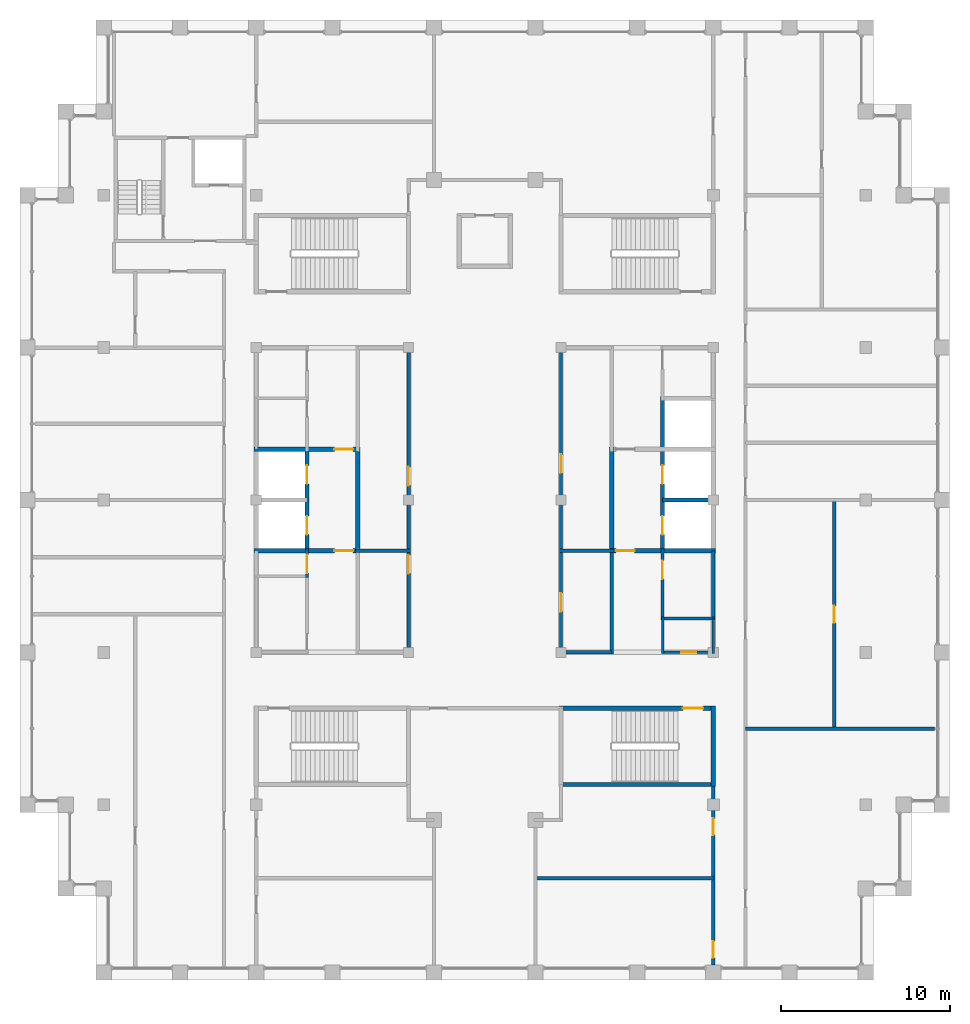
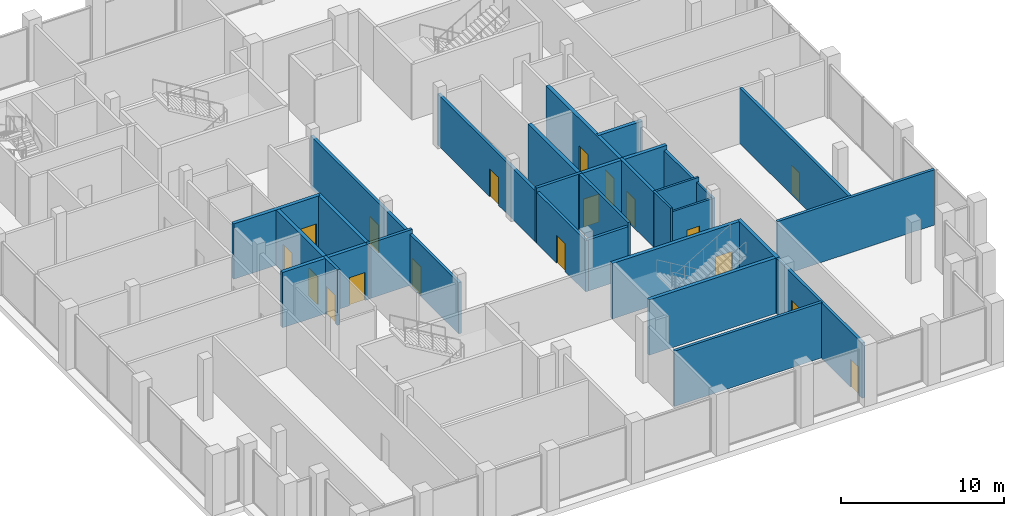
# One storey, part 8 of 12: 28 walls, 18 doors, 18 openings.
"""IFC4 building model written with IfcOpenShell, lengths in metres."""

from ifc_helpers import new_model, si_unit, direction, frame, frame_2d, origin, place, context, subcontext, project, spatial, rectangle, extrude, material, layer, layer_set, type_object, element, fill, save


model = new_model("IFC4")

# Units and contexts
model_context = context("Model", 3, precision=1e-05, world=origin(), true_north=direction((0.0, 1.0)))
body_context = subcontext(model_context, "Body", "Model", "MODEL_VIEW")
ifc_project = project(units=[si_unit("LENGTHUNIT", "METRE"), si_unit("AREAUNIT", "SQUARE_METRE"), si_unit("VOLUMEUNIT", "CUBIC_METRE"), si_unit("PLANEANGLEUNIT", "RADIAN"), si_unit("MASSUNIT", "GRAM", prefix="KILO")], contexts=[model_context])

# Site, building, storey
site_placement = place(None, origin())
site = spatial("IfcSite", under=ifc_project, at=site_placement, CompositionType="ELEMENT")
building_placement = place(site_placement, origin())
building = spatial("IfcBuilding", under=site, at=building_placement, Name="Corbelhall Arena Tower", CompositionType="ELEMENT")
storey_placement = place(building_placement, frame((0.0, 0.0, 356.0)))
storey = spatial("IfcBuildingStorey", under=building, at=storey_placement, Name="L78", CompositionType="ELEMENT", Elevation=356.0)

# Wall
ifc_material_1 = material(Name="Gypsum board on steel stud, acoustic", Category="steel")
ifc_layer_1 = layer(ifc_material_1, 0.199951171875)
ifc_layer_set_1 = layer_set([ifc_layer_1], Name="IN-W-DM200")
wall_type_1 = type_object("IfcWallType", Name="IN-W-DM200", PredefinedType="PARTITIONING", material=ifc_layer_set_1)
wall_1_placement = place(storey_placement, frame((3.0, -22.35009765625, 0.0), z_axis=(0.0, 0.0, 1.0), x_axis=(1.0, 0.0, 0.0)))
element("IfcWall", 1, at=wall_1_placement, inside=storey, type_object=wall_type_1, Name="Partition 024", PredefinedType="PARTITIONING", context=body_context, shape_type="SweptSolid", body=[
    extrude(rectangle(XDim=10.5, YDim=0.199951171875, at=frame_2d((5.25, 0.0))), origin(), (0.0, 0.0, 1.0), 4.149658203125),
])

# Wall, openings, doors
wall_2_placement = place(storey_placement, frame((13.5, -27.449951171875, 0.0), z_axis=(0.0, 0.0, 1.0), x_axis=(0.0, 1.0, 0.0)))
wall_2 = element("IfcWall", 2, at=wall_2_placement, inside=storey, type_object=wall_type_1, Name="Partition 030", PredefinedType="PARTITIONING", context=body_context, shape_type="SweptSolid", body=[
    extrude(rectangle(XDim=10.77490234375, YDim=0.199951171875, at=frame_2d((5.387451171875, 0.0))), origin(), (0.0, 0.0, 1.0), 4.149658203125),
])
opening_1_placement = place(wall_2_placement, frame((0.39990234375, 0.0, 0.0)))
opening_1 = element("IfcOpeningElement", 3, at=opening_1_placement, cuts=wall_2, Name="Opening 32026", PredefinedType="OPENING", context=body_context, shape_type="SweptSolid", body=[
    extrude(rectangle(XDim=1.0, YDim=2.10009765625, at=frame_2d((0.5, 1.050048828125))), frame((0.0, 0.10009765625, 0.0), z_axis=(0.0, -1.0, 0.0), x_axis=(1.0, 0.0, 0.0)), (0.0, 0.0, 1.0), 0.199951171875),
])
opening_2_placement = place(wall_2_placement, frame((7.64990234375, 0.0, 0.0)))
opening_2 = element("IfcOpeningElement", 4, at=opening_2_placement, cuts=wall_2, Name="Opening 32027", PredefinedType="OPENING", context=body_context, shape_type="SweptSolid", body=[
    extrude(rectangle(XDim=1.0, YDim=2.10009765625, at=frame_2d((0.5, 1.050048828125))), frame((0.0, 0.10009765625, 0.0), z_axis=(0.0, -1.0, 0.0), x_axis=(1.0, 0.0, 0.0)), (0.0, 0.0, 1.0), 0.199951171875),
])
ifc_material_2 = material(Name="Steel door set", Category="steel")
door_type_1 = type_object("IfcDoorType", Name="IN-D-SW100", OperationType="NOTDEFINED", PredefinedType="DOOR", material=ifc_material_2)
door_1_placement = place(opening_1_placement, origin())
door_1 = element("IfcDoor", 5, at=door_1_placement, inside=storey, type_object=door_type_1, Name="Door 026", OperationType="SINGLE_SWING_LEFT", OverallHeight=2.10009765625, OverallWidth=1.0, PredefinedType="DOOR", context=body_context, shape_type="SweptSolid", body=[
    extrude(rectangle(XDim=1.0, YDim=2.10009765625, at=frame_2d((0.5, 1.050048828125))), frame((0.0, 0.02490234375, 0.0), z_axis=(0.0, -1.0, 0.0), x_axis=(1.0, 0.0, 0.0)), (0.0, 0.0, 1.0), 0.050048828125),
])
fill(opening_1, door_1)
door_2_placement = place(opening_2_placement, origin())
door_2 = element("IfcDoor", 6, at=door_2_placement, inside=storey, type_object=door_type_1, Name="Door 027", OperationType="SINGLE_SWING_RIGHT", OverallHeight=2.10009765625, OverallWidth=1.0, PredefinedType="DOOR", context=body_context, shape_type="SweptSolid", body=[
    extrude(rectangle(XDim=1.0, YDim=2.10009765625, at=frame_2d((0.5, 1.050048828125))), frame((0.0, 0.02490234375, 0.0), z_axis=(0.0, -1.0, 0.0), x_axis=(1.0, 0.0, 0.0)), (0.0, 0.0, 1.0), 0.050048828125),
])
fill(opening_2, door_2)

# Wall
wall_3_placement = place(storey_placement, frame((15.39990234375, -13.5, 0.0), z_axis=(0.0, 0.0, 1.0), x_axis=(1.0, 0.0, 0.0)))
element("IfcWall", 7, at=wall_3_placement, inside=storey, type_object=wall_type_1, Name="Partition 033", PredefinedType="PARTITIONING", context=body_context, shape_type="SweptSolid", body=[
    extrude(rectangle(XDim=11.150146484375, YDim=0.199951171875, at=frame_2d((5.5751953125, 0.0))), origin(), (0.0, 0.0, 1.0), 4.149658203125),
])

# Wall, opening, door
wall_4_placement = place(storey_placement, frame((20.64990234375, 0.0, 0.0), z_axis=(0.0, 0.0, 1.0), x_axis=(0.0, -1.0, 0.0)))
wall_4 = element("IfcWall", 8, at=wall_4_placement, inside=storey, type_object=wall_type_1, Name="Partition 039", PredefinedType="PARTITIONING", context=body_context, shape_type="SweptSolid", body=[
    extrude(rectangle(XDim=13.5, YDim=0.199951171875, at=frame_2d((6.75, 0.0))), origin(), (0.0, 0.0, 1.0), 4.149658203125),
])
opening_3_placement = place(wall_4_placement, frame((6.25, 0.0, 0.0)))
opening_3 = element("IfcOpeningElement", 9, at=opening_3_placement, cuts=wall_4, Name="Opening 32044", PredefinedType="OPENING", context=body_context, shape_type="SweptSolid", body=[
    extrude(rectangle(XDim=1.0, YDim=2.10009765625, at=frame_2d((0.5, 1.050048828125))), frame((0.0, 0.10009765625, 0.0), z_axis=(0.0, -1.0, 0.0), x_axis=(1.0, 0.0, 0.0)), (0.0, 0.0, 1.0), 0.199951171875),
])
door_3_placement = place(opening_3_placement, origin())
door_3 = element("IfcDoor", 10, at=door_3_placement, inside=storey, type_object=door_type_1, Name="Door 044", OperationType="SINGLE_SWING_LEFT", OverallHeight=2.10009765625, OverallWidth=1.0, PredefinedType="DOOR", context=body_context, shape_type="SweptSolid", body=[
    extrude(rectangle(XDim=1.0, YDim=2.10009765625, at=frame_2d((0.5, 1.050048828125))), frame((0.0, 0.02490234375, 0.0), z_axis=(0.0, -1.0, 0.0), x_axis=(1.0, 0.0, 0.0)), (0.0, 0.0, 1.0), 0.050048828125),
])
fill(opening_3, door_3)

ifc_material_3 = material(Name="Concrete block wall", Category="concrete")
ifc_layer_2 = layer(ifc_material_3, 0.199951171875)
ifc_layer_set_2 = layer_set([ifc_layer_2], Name="IN-W-RS200")
wall_type_2 = type_object("IfcWallType", Name="IN-W-RS200", PredefinedType="SOLIDWALL", material=ifc_layer_set_2)
wall_5_placement = place(storey_placement, frame((-10.5, -4.574951171875, 0.0), z_axis=(0.0, 0.0, 1.0), x_axis=(0.0, 1.0, 0.0)))
wall_5 = element("IfcWall", 11, at=wall_5_placement, inside=storey, type_object=wall_type_2, Name="Partition 044", PredefinedType="SOLIDWALL", context=body_context, shape_type="SweptSolid", body=[
    extrude(rectangle(XDim=1.699951171875, YDim=0.199951171875, at=frame_2d((0.85009765625, 0.0))), origin(), (0.0, 0.0, 1.0), 4.149658203125),
])
opening_4_placement = place(wall_5_placement, frame((0.25, 0.0, 0.0)))
opening_4 = element("IfcOpeningElement", 12, at=opening_4_placement, cuts=wall_5, Name="Opening 32006", PredefinedType="OPENING", context=body_context, shape_type="SweptSolid", body=[
    extrude(rectangle(XDim=1.10009765625, YDim=2.10009765625, at=frame_2d((0.550048828125, 1.050048828125))), frame((0.0, 0.10009765625, 0.0), z_axis=(0.0, -1.0, 0.0), x_axis=(1.0, 0.0, 0.0)), (0.0, 0.0, 1.0), 0.199951171875),
])
door_type_2 = type_object("IfcDoorType", Name="IN-D-FD110", OperationType="NOTDEFINED", PredefinedType="DOOR", material=ifc_material_2)
door_4_placement = place(opening_4_placement, origin())
door_4 = element("IfcDoor", 13, at=door_4_placement, inside=storey, type_object=door_type_2, Name="Door 006", OperationType="SINGLE_SWING_LEFT", OverallHeight=2.10009765625, OverallWidth=1.10009765625, PredefinedType="DOOR", context=body_context, shape_type="SweptSolid", body=[
    extrude(rectangle(XDim=1.10009765625, YDim=2.10009765625, at=frame_2d((0.550048828125, 1.050048828125))), frame((0.0, 0.02490234375, 0.0), z_axis=(0.0, -1.0, 0.0), x_axis=(1.0, 0.0, 0.0)), (0.0, 0.0, 1.0), 0.050048828125),
])
fill(opening_4, door_4)

# Walls
for number, where, z_axis, x_axis, name in (
    (14, (-7.625, -3.0, 0.0), (0.0, 0.0, 1.0), (1.0, 0.0, 0.0), "Partition 046"),
    (15, (4.39990234375, -3.0, 0.0), (0.0, 0.0, 1.0), (1.0, 0.0, 0.0), "Partition 052"),
):
    element("IfcWall", number, at=place(storey_placement, frame(where, z_axis=z_axis, x_axis=x_axis)), inside=storey, type_object=wall_type_2, Name=name, PredefinedType="SOLIDWALL", context=body_context, shape_type="SweptSolid", body=[
        extrude(rectangle(XDim=3.22509765625, YDim=0.199951171875, at=frame_2d((1.612548828125, 0.0))), origin(), (0.0, 0.0, 1.0), 4.149658203125),
    ])
wall_6_placement = place(storey_placement, frame((7.5, -2.875, 0.0), z_axis=(0.0, 0.0, 1.0), x_axis=(0.0, -1.0, 0.0)))
element("IfcWall", 16, at=wall_6_placement, inside=storey, type_object=wall_type_2, Name="Partition 056", PredefinedType="SOLIDWALL", context=body_context, shape_type="SweptSolid", body=[
    extrude(rectangle(XDim=6.22509765625, YDim=0.199951171875, at=frame_2d((3.112548828125, 0.0))), origin(), (0.0, 0.0, 1.0), 4.149658203125),
])

# Wall, opening, door
wall_7_placement = place(storey_placement, frame((10.5, -2.875, 0.0), z_axis=(0.0, 0.0, 1.0), x_axis=(0.0, -1.0, 0.0)))
wall_7 = element("IfcWall", 17, at=wall_7_placement, inside=storey, type_object=wall_type_2, Name="Partition 058", PredefinedType="SOLIDWALL", context=body_context, shape_type="SweptSolid", body=[
    extrude(rectangle(XDim=4.199951171875, YDim=0.199951171875, at=frame_2d((2.10009765625, 0.0))), origin(), (0.0, 0.0, 1.0), 4.149658203125),
])
opening_5_placement = place(wall_7_placement, frame((0.699951171875, 0.0, 0.0)))
opening_5 = element("IfcOpeningElement", 18, at=opening_5_placement, cuts=wall_7, Name="Opening 32014", PredefinedType="OPENING", context=body_context, shape_type="SweptSolid", body=[
    extrude(rectangle(XDim=1.10009765625, YDim=2.10009765625, at=frame_2d((0.550048828125, 1.050048828125))), frame((0.0, 0.10009765625, 0.0), z_axis=(0.0, -1.0, 0.0), x_axis=(1.0, 0.0, 0.0)), (0.0, 0.0, 1.0), 0.199951171875),
])
door_5_placement = place(opening_5_placement, origin())
door_5 = element("IfcDoor", 19, at=door_5_placement, inside=storey, type_object=door_type_2, Name="Door 014", OperationType="SINGLE_SWING_LEFT", OverallHeight=2.10009765625, OverallWidth=1.10009765625, PredefinedType="DOOR", context=body_context, shape_type="SweptSolid", body=[
    extrude(rectangle(XDim=1.10009765625, YDim=2.10009765625, at=frame_2d((0.550048828125, 1.050048828125))), frame((0.0, 0.02490234375, 0.0), z_axis=(0.0, -1.0, 0.0), x_axis=(1.0, 0.0, 0.0)), (0.0, 0.0, 1.0), 0.050048828125),
])
fill(opening_5, door_5)

# Wall, openings, doors
ifc_layer_3 = layer(ifc_material_3, 0.199951171875)
ifc_layer_set_3 = layer_set([ifc_layer_3], Name="IN-W-RS200 under beam 312 mm")
wall_type_3 = type_object("IfcWallType", Name="IN-W-RS200 under beam 312 mm", PredefinedType="SOLIDWALL", material=ifc_layer_set_3)
wall_8_placement = place(storey_placement, frame((-4.5, 9.10009765625, 0.0), z_axis=(0.0, 0.0, 1.0), x_axis=(0.0, -1.0, 0.0)))
wall_8 = element("IfcWall", 20, at=wall_8_placement, inside=storey, type_object=wall_type_3, Name="Partition 051", PredefinedType="SOLIDWALL", context=body_context, shape_type="SweptSolid", body=[
    extrude(rectangle(XDim=18.2001953125, YDim=0.199951171875, at=frame_2d((9.10009765625, 0.0))), origin(), (0.0, 0.0, 1.0), 3.837646484375),
])
opening_6_placement = place(wall_8_placement, frame((12.35009765625, 0.0, 0.0)))
opening_6 = element("IfcOpeningElement", 21, at=opening_6_placement, cuts=wall_8, Name="Opening 32001", PredefinedType="OPENING", context=body_context, shape_type="SweptSolid", body=[
    extrude(rectangle(XDim=1.10009765625, YDim=2.10009765625, at=frame_2d((0.550048828125, 1.050048828125))), frame((0.0, 0.10009765625, 0.0), z_axis=(0.0, -1.0, 0.0), x_axis=(1.0, 0.0, 0.0)), (0.0, 0.0, 1.0), 0.199951171875),
])
opening_7_placement = place(wall_8_placement, frame((7.14990234375, 0.0, 0.0)))
opening_7 = element("IfcOpeningElement", 22, at=opening_7_placement, cuts=wall_8, Name="Opening 32002", PredefinedType="OPENING", context=body_context, shape_type="SweptSolid", body=[
    extrude(rectangle(XDim=1.10009765625, YDim=2.10009765625, at=frame_2d((0.550048828125, 1.050048828125))), frame((0.0, 0.10009765625, 0.0), z_axis=(0.0, -1.0, 0.0), x_axis=(1.0, 0.0, 0.0)), (0.0, 0.0, 1.0), 0.199951171875),
])
door_6_placement = place(opening_6_placement, origin())
door_6 = element("IfcDoor", 23, at=door_6_placement, inside=storey, type_object=door_type_2, Name="Door 001", OperationType="SINGLE_SWING_RIGHT", OverallHeight=2.10009765625, OverallWidth=1.10009765625, PredefinedType="DOOR", context=body_context, shape_type="SweptSolid", body=[
    extrude(rectangle(XDim=1.10009765625, YDim=2.10009765625, at=frame_2d((0.550048828125, 1.050048828125))), frame((0.0, 0.02490234375, 0.0), z_axis=(0.0, -1.0, 0.0), x_axis=(1.0, 0.0, 0.0)), (0.0, 0.0, 1.0), 0.050048828125),
])
fill(opening_6, door_6)
door_7_placement = place(opening_7_placement, origin())
door_7 = element("IfcDoor", 24, at=door_7_placement, inside=storey, type_object=door_type_2, Name="Door 002", OperationType="SINGLE_SWING_LEFT", OverallHeight=2.10009765625, OverallWidth=1.10009765625, PredefinedType="DOOR", context=body_context, shape_type="SweptSolid", body=[
    extrude(rectangle(XDim=1.10009765625, YDim=2.10009765625, at=frame_2d((0.550048828125, 1.050048828125))), frame((0.0, 0.02490234375, 0.0), z_axis=(0.0, -1.0, 0.0), x_axis=(1.0, 0.0, 0.0)), (0.0, 0.0, 1.0), 0.050048828125),
])
fill(opening_7, door_7)

wall_9_placement = place(storey_placement, frame((4.5, -9.10009765625, 0.0), z_axis=(0.0, 0.0, 1.0), x_axis=(0.0, 1.0, 0.0)))
wall_9 = element("IfcWall", 25, at=wall_9_placement, inside=storey, type_object=wall_type_3, Name="Partition 053", PredefinedType="SOLIDWALL", context=body_context, shape_type="SweptSolid", body=[
    extrude(rectangle(XDim=18.2001953125, YDim=0.199951171875, at=frame_2d((9.10009765625, 0.0))), origin(), (0.0, 0.0, 1.0), 3.837646484375),
])
opening_8_placement = place(wall_9_placement, frame((2.5, 0.0, 0.0)))
opening_8 = element("IfcOpeningElement", 26, at=opening_8_placement, cuts=wall_9, Name="Opening 32009", PredefinedType="OPENING", context=body_context, shape_type="SweptSolid", body=[
    extrude(rectangle(XDim=1.10009765625, YDim=2.10009765625, at=frame_2d((0.550048828125, 1.050048828125))), frame((0.0, 0.10009765625, 0.0), z_axis=(0.0, -1.0, 0.0), x_axis=(1.0, 0.0, 0.0)), (0.0, 0.0, 1.0), 0.199951171875),
])
opening_9_placement = place(wall_9_placement, frame((10.699951171875, 0.0, 0.0)))
opening_9 = element("IfcOpeningElement", 27, at=opening_9_placement, cuts=wall_9, Name="Opening 32010", PredefinedType="OPENING", context=body_context, shape_type="SweptSolid", body=[
    extrude(rectangle(XDim=1.10009765625, YDim=2.10009765625, at=frame_2d((0.550048828125, 1.050048828125))), frame((0.0, 0.10009765625, 0.0), z_axis=(0.0, -1.0, 0.0), x_axis=(1.0, 0.0, 0.0)), (0.0, 0.0, 1.0), 0.199951171875),
])
door_8_placement = place(opening_8_placement, origin())
door_8 = element("IfcDoor", 28, at=door_8_placement, inside=storey, type_object=door_type_2, Name="Door 009", OperationType="SINGLE_SWING_RIGHT", OverallHeight=2.10009765625, OverallWidth=1.10009765625, PredefinedType="DOOR", context=body_context, shape_type="SweptSolid", body=[
    extrude(rectangle(XDim=1.10009765625, YDim=2.10009765625, at=frame_2d((0.550048828125, 1.050048828125))), frame((0.0, 0.02490234375, 0.0), z_axis=(0.0, -1.0, 0.0), x_axis=(1.0, 0.0, 0.0)), (0.0, 0.0, 1.0), 0.050048828125),
])
fill(opening_8, door_8)
door_9_placement = place(opening_9_placement, origin())
door_9 = element("IfcDoor", 29, at=door_9_placement, inside=storey, type_object=door_type_2, Name="Door 010", OperationType="SINGLE_SWING_LEFT", OverallHeight=2.10009765625, OverallWidth=1.10009765625, PredefinedType="DOOR", context=body_context, shape_type="SweptSolid", body=[
    extrude(rectangle(XDim=1.10009765625, YDim=2.10009765625, at=frame_2d((0.550048828125, 1.050048828125))), frame((0.0, 0.02490234375, 0.0), z_axis=(0.0, -1.0, 0.0), x_axis=(1.0, 0.0, 0.0)), (0.0, 0.0, 1.0), 0.050048828125),
])
fill(opening_9, door_9)

# Walls
wall_10_placement = place(storey_placement, frame((7.5, -9.0, 0.0), z_axis=(0.0, 0.0, 1.0), x_axis=(-1.0, 0.0, 0.0)))
element("IfcWall", 30, at=wall_10_placement, inside=storey, type_object=wall_type_3, Name="Partition 055", PredefinedType="SOLIDWALL", context=body_context, shape_type="SweptSolid", body=[
    extrude(rectangle(XDim=3.0, YDim=0.199951171875, at=frame_2d((1.5, 0.0))), origin(), (0.0, 0.0, 1.0), 3.837646484375),
])
wall_11_placement = place(storey_placement, frame((13.5, -3.0, 0.0), z_axis=(0.0, 0.0, 1.0), x_axis=(0.0, -1.0, 0.0)))
element("IfcWall", 31, at=wall_11_placement, inside=storey, type_object=wall_type_3, Name="Partition 061", PredefinedType="SOLIDWALL", context=body_context, shape_type="SweptSolid", body=[
    extrude(rectangle(XDim=4.0, YDim=0.199951171875, at=frame_2d((2.0, 0.0))), origin(), (0.0, 0.0, 1.0), 3.837646484375),
])

# Wall, opening, door
ifc_material_4 = material(Name="Concrete C40/50", Category="concrete")
ifc_layer_4 = layer(ifc_material_4, 0.25)
ifc_layer_set_4 = layer_set([ifc_layer_4], Name="IN-W-SH250")
wall_type_4 = type_object("IfcWallType", Name="IN-W-SH250", PredefinedType="SOLIDWALL", material=ifc_layer_set_4)
wall_12_placement = place(storey_placement, frame((-13.625, 3.0, 0.0), z_axis=(0.0, 0.0, 1.0), x_axis=(1.0, 0.0, 0.0)))
wall_12 = element("IfcWall", 32, at=wall_12_placement, inside=storey, type_object=wall_type_4, Name="Shaft wall 064", PredefinedType="SOLIDWALL", context=body_context, shape_type="SweptSolid", body=[
    extrude(rectangle(XDim=6.125, YDim=0.25, at=frame_2d((3.0625, 0.0))), origin(), (0.0, 0.0, 1.0), 4.149658203125),
])
opening_10_placement = place(wall_12_placement, frame((4.75, 0.0, 0.0)))
opening_10 = element("IfcOpeningElement", 33, at=opening_10_placement, cuts=wall_12, Name="Opening 32004", PredefinedType="OPENING", context=body_context, shape_type="SweptSolid", body=[
    extrude(rectangle(XDim=1.10009765625, YDim=2.10009765625, at=frame_2d((0.550048828125, 1.050048828125))), frame((0.0, 0.125, 0.0), z_axis=(0.0, -1.0, 0.0), x_axis=(1.0, 0.0, 0.0)), (0.0, 0.0, 1.0), 0.25),
])
door_10_placement = place(opening_10_placement, origin())
door_10 = element("IfcDoor", 34, at=door_10_placement, inside=storey, type_object=door_type_2, Name="Door 004", OperationType="SINGLE_SWING_LEFT", OverallHeight=2.10009765625, OverallWidth=1.10009765625, PredefinedType="DOOR", context=body_context, shape_type="SweptSolid", body=[
    extrude(rectangle(XDim=1.10009765625, YDim=2.10009765625, at=frame_2d((0.550048828125, 1.050048828125))), frame((0.0, 0.02490234375, 0.0), z_axis=(0.0, -1.0, 0.0), x_axis=(1.0, 0.0, 0.0)), (0.0, 0.0, 1.0), 0.050048828125),
])
fill(opening_10, door_10)

wall_13_placement = place(storey_placement, frame((-13.625, -3.0, 0.0), z_axis=(0.0, 0.0, 1.0), x_axis=(1.0, 0.0, 0.0)))
wall_13 = element("IfcWall", 35, at=wall_13_placement, inside=storey, type_object=wall_type_4, Name="Shaft wall 066", PredefinedType="SOLIDWALL", context=body_context, shape_type="SweptSolid", body=[
    extrude(rectangle(XDim=6.125, YDim=0.25, at=frame_2d((3.0625, 0.0))), origin(), (0.0, 0.0, 1.0), 4.149658203125),
])
opening_11_placement = place(wall_13_placement, frame((4.75, 0.0, 0.0)))
opening_11 = element("IfcOpeningElement", 36, at=opening_11_placement, cuts=wall_13, Name="Opening 32003", PredefinedType="OPENING", context=body_context, shape_type="SweptSolid", body=[
    extrude(rectangle(XDim=1.10009765625, YDim=2.10009765625, at=frame_2d((0.550048828125, 1.050048828125))), frame((0.0, 0.125, 0.0), z_axis=(0.0, -1.0, 0.0), x_axis=(1.0, 0.0, 0.0)), (0.0, 0.0, 1.0), 0.25),
])
door_11_placement = place(opening_11_placement, origin())
door_11 = element("IfcDoor", 37, at=door_11_placement, inside=storey, type_object=door_type_2, Name="Door 003", OperationType="SINGLE_SWING_RIGHT", OverallHeight=2.10009765625, OverallWidth=1.10009765625, PredefinedType="DOOR", context=body_context, shape_type="SweptSolid", body=[
    extrude(rectangle(XDim=1.10009765625, YDim=2.10009765625, at=frame_2d((0.550048828125, 1.050048828125))), frame((0.0, 0.02490234375, 0.0), z_axis=(0.0, -1.0, 0.0), x_axis=(1.0, 0.0, 0.0)), (0.0, 0.0, 1.0), 0.050048828125),
])
fill(opening_11, door_11)

# Wall, openings, doors
wall_14_placement = place(storey_placement, frame((-10.5, -3.125, 0.0), z_axis=(0.0, 0.0, 1.0), x_axis=(0.0, 1.0, 0.0)))
wall_14 = element("IfcWall", 38, at=wall_14_placement, inside=storey, type_object=wall_type_4, Name="Shaft wall 067", PredefinedType="SOLIDWALL", context=body_context, shape_type="SweptSolid", body=[
    extrude(rectangle(XDim=6.25, YDim=0.25, at=frame_2d((3.125, 0.0))), origin(), (0.0, 0.0, 1.0), 4.149658203125),
])
opening_12_placement = place(wall_14_placement, frame((1.074951171875, 0.0, 0.0)))
opening_12 = element("IfcOpeningElement", 39, at=opening_12_placement, cuts=wall_14, Name="Opening LD", PredefinedType="OPENING", context=body_context, shape_type="SweptSolid", body=[
    extrude(rectangle(XDim=1.10009765625, YDim=2.10009765625, at=frame_2d((0.550048828125, 1.050048828125))), frame((0.0, 0.125, 0.0), z_axis=(0.0, -1.0, 0.0), x_axis=(1.0, 0.0, 0.0)), (0.0, 0.0, 1.0), 0.25),
])
opening_13_placement = place(wall_14_placement, frame((4.074951171875, 0.0, 0.0)))
opening_13 = element("IfcOpeningElement", 40, at=opening_13_placement, cuts=wall_14, Name="Opening LD", PredefinedType="OPENING", context=body_context, shape_type="SweptSolid", body=[
    extrude(rectangle(XDim=1.10009765625, YDim=2.10009765625, at=frame_2d((0.550048828125, 1.050048828125))), frame((0.0, 0.125, 0.0), z_axis=(0.0, -1.0, 0.0), x_axis=(1.0, 0.0, 0.0)), (0.0, 0.0, 1.0), 0.25),
])
door_type_3 = type_object("IfcDoorType", Name="IN-D-LD110", OperationType="NOTDEFINED", PredefinedType="DOOR", material=ifc_material_2)
door_12_placement = place(opening_12_placement, origin())
door_12 = element("IfcDoor", 41, at=door_12_placement, inside=storey, type_object=door_type_3, Name="Landing door W3", OperationType="SLIDING_TO_LEFT", OverallHeight=2.10009765625, OverallWidth=1.10009765625, PredefinedType="DOOR", context=body_context, shape_type="SweptSolid", body=[
    extrude(rectangle(XDim=1.10009765625, YDim=2.10009765625, at=frame_2d((0.550048828125, 1.050048828125))), frame((0.0, 0.02490234375, 0.0), z_axis=(0.0, -1.0, 0.0), x_axis=(1.0, 0.0, 0.0)), (0.0, 0.0, 1.0), 0.050048828125),
])
fill(opening_12, door_12)
door_13_placement = place(opening_13_placement, origin())
door_13 = element("IfcDoor", 42, at=door_13_placement, inside=storey, type_object=door_type_3, Name="Landing door W4", OperationType="SLIDING_TO_LEFT", OverallHeight=2.10009765625, OverallWidth=1.10009765625, PredefinedType="DOOR", context=body_context, shape_type="SweptSolid", body=[
    extrude(rectangle(XDim=1.10009765625, YDim=2.10009765625, at=frame_2d((0.550048828125, 1.050048828125))), frame((0.0, 0.02490234375, 0.0), z_axis=(0.0, -1.0, 0.0), x_axis=(1.0, 0.0, 0.0)), (0.0, 0.0, 1.0), 0.050048828125),
])
fill(opening_13, door_13)

# Wall
wall_15_placement = place(storey_placement, frame((-7.5, -3.125, 0.0), z_axis=(0.0, 0.0, 1.0), x_axis=(0.0, 1.0, 0.0)))
element("IfcWall", 43, at=wall_15_placement, inside=storey, type_object=wall_type_4, Name="Shaft wall 068", PredefinedType="SOLIDWALL", context=body_context, shape_type="SweptSolid", body=[
    extrude(rectangle(XDim=6.25, YDim=0.25, at=frame_2d((3.125, 0.0))), origin(), (0.0, 0.0, 1.0), 4.149658203125),
])

# Wall, opening, door
wall_16_placement = place(storey_placement, frame((7.5, -3.0, 0.0), z_axis=(0.0, 0.0, 1.0), x_axis=(1.0, 0.0, 0.0)))
wall_16 = element("IfcWall", 44, at=wall_16_placement, inside=storey, type_object=wall_type_4, Name="Shaft wall 073", PredefinedType="SOLIDWALL", context=body_context, shape_type="SweptSolid", body=[
    extrude(rectangle(XDim=6.125, YDim=0.25, at=frame_2d((3.0625, 0.0))), origin(), (0.0, 0.0, 1.0), 4.149658203125),
])
opening_14_placement = place(wall_16_placement, frame((0.25, 0.0, 0.0)))
opening_14 = element("IfcOpeningElement", 45, at=opening_14_placement, cuts=wall_16, Name="Opening 32011", PredefinedType="OPENING", context=body_context, shape_type="SweptSolid", body=[
    extrude(rectangle(XDim=1.10009765625, YDim=2.10009765625, at=frame_2d((0.550048828125, 1.050048828125))), frame((0.0, 0.125, 0.0), z_axis=(0.0, -1.0, 0.0), x_axis=(1.0, 0.0, 0.0)), (0.0, 0.0, 1.0), 0.25),
])
door_14_placement = place(opening_14_placement, origin())
door_14 = element("IfcDoor", 46, at=door_14_placement, inside=storey, type_object=door_type_2, Name="Door 011", OperationType="SINGLE_SWING_RIGHT", OverallHeight=2.10009765625, OverallWidth=1.10009765625, PredefinedType="DOOR", context=body_context, shape_type="SweptSolid", body=[
    extrude(rectangle(XDim=1.10009765625, YDim=2.10009765625, at=frame_2d((0.550048828125, 1.050048828125))), frame((0.0, 0.02490234375, 0.0), z_axis=(0.0, -1.0, 0.0), x_axis=(1.0, 0.0, 0.0)), (0.0, 0.0, 1.0), 0.050048828125),
])
fill(opening_14, door_14)

# Walls
wall_17_placement = place(storey_placement, frame((7.5, 3.125, 0.0), z_axis=(0.0, 0.0, 1.0), x_axis=(0.0, -1.0, 0.0)))
element("IfcWall", 47, at=wall_17_placement, inside=storey, type_object=wall_type_4, Name="Shaft wall 075", PredefinedType="SOLIDWALL", context=body_context, shape_type="SweptSolid", body=[
    extrude(rectangle(XDim=6.25, YDim=0.25, at=frame_2d((3.125, 0.0))), origin(), (0.0, 0.0, 1.0), 4.149658203125),
])
wall_18_placement = place(storey_placement, frame((10.5, 0.0, 0.0), z_axis=(0.0, 0.0, 1.0), x_axis=(1.0, 0.0, 0.0)))
element("IfcWall", 48, at=wall_18_placement, inside=storey, type_object=wall_type_4, Name="Shaft wall 076", PredefinedType="SOLIDWALL", context=body_context, shape_type="SweptSolid", body=[
    extrude(rectangle(XDim=3.125, YDim=0.25, at=frame_2d((1.5625, 0.0))), origin(), (0.0, 0.0, 1.0), 4.149658203125),
])

# Wall, openings, doors
wall_19_placement = place(storey_placement, frame((10.5, 6.125, 0.0), z_axis=(0.0, 0.0, 1.0), x_axis=(0.0, -1.0, 0.0)))
wall_19 = element("IfcWall", 49, at=wall_19_placement, inside=storey, type_object=wall_type_4, Name="Shaft wall 077", PredefinedType="SOLIDWALL", context=body_context, shape_type="SweptSolid", body=[
    extrude(rectangle(XDim=9.25, YDim=0.25, at=frame_2d((4.625, 0.0))), origin(), (0.0, 0.0, 1.0), 4.149658203125),
])
opening_15_placement = place(wall_19_placement, frame((7.074951171875, 0.0, 0.0)))
opening_15 = element("IfcOpeningElement", 50, at=opening_15_placement, cuts=wall_19, Name="Opening LD", PredefinedType="OPENING", context=body_context, shape_type="SweptSolid", body=[
    extrude(rectangle(XDim=1.10009765625, YDim=2.10009765625, at=frame_2d((0.550048828125, 1.050048828125))), frame((0.0, 0.125, 0.0), z_axis=(0.0, -1.0, 0.0), x_axis=(1.0, 0.0, 0.0)), (0.0, 0.0, 1.0), 0.25),
])
opening_16_placement = place(wall_19_placement, frame((4.074951171875, 0.0, 0.0)))
opening_16 = element("IfcOpeningElement", 51, at=opening_16_placement, cuts=wall_19, Name="Opening LD", PredefinedType="OPENING", context=body_context, shape_type="SweptSolid", body=[
    extrude(rectangle(XDim=1.10009765625, YDim=2.10009765625, at=frame_2d((0.550048828125, 1.050048828125))), frame((0.0, 0.125, 0.0), z_axis=(0.0, -1.0, 0.0), x_axis=(1.0, 0.0, 0.0)), (0.0, 0.0, 1.0), 0.25),
])
door_15_placement = place(opening_15_placement, origin())
door_15 = element("IfcDoor", 52, at=door_15_placement, inside=storey, type_object=door_type_3, Name="Landing door E3", OperationType="SLIDING_TO_LEFT", OverallHeight=2.10009765625, OverallWidth=1.10009765625, PredefinedType="DOOR", context=body_context, shape_type="SweptSolid", body=[
    extrude(rectangle(XDim=1.10009765625, YDim=2.10009765625, at=frame_2d((0.550048828125, 1.050048828125))), frame((0.0, 0.02490234375, 0.0), z_axis=(0.0, -1.0, 0.0), x_axis=(1.0, 0.0, 0.0)), (0.0, 0.0, 1.0), 0.050048828125),
])
fill(opening_15, door_15)
door_16_placement = place(opening_16_placement, origin())
door_16 = element("IfcDoor", 53, at=door_16_placement, inside=storey, type_object=door_type_3, Name="Landing door E4", OperationType="SLIDING_TO_LEFT", OverallHeight=2.10009765625, OverallWidth=1.10009765625, PredefinedType="DOOR", context=body_context, shape_type="SweptSolid", body=[
    extrude(rectangle(XDim=1.10009765625, YDim=2.10009765625, at=frame_2d((0.550048828125, 1.050048828125))), frame((0.0, 0.02490234375, 0.0), z_axis=(0.0, -1.0, 0.0), x_axis=(1.0, 0.0, 0.0)), (0.0, 0.0, 1.0), 0.050048828125),
])
fill(opening_16, door_16)

# Walls
ifc_layer_5 = layer(ifc_material_4, 0.25)
ifc_layer_set_5 = layer_set([ifc_layer_5], Name="IN-W-ST250")
wall_type_5 = type_object("IfcWallType", Name="IN-W-ST250", PredefinedType="SOLIDWALL", material=ifc_layer_set_5)
wall_20_placement = place(storey_placement, frame((13.5, -16.925048828125, 0.0), z_axis=(0.0, 0.0, 1.0), x_axis=(0.0, 1.0, 0.0)))
element("IfcWall", 54, at=wall_20_placement, inside=storey, type_object=wall_type_5, Name="Shaft wall 092", PredefinedType="SOLIDWALL", context=body_context, shape_type="SweptSolid", body=[
    extrude(rectangle(XDim=4.75, YDim=0.25, at=frame_2d((2.375, 0.0))), origin(), (0.0, 0.0, 1.0), 4.149658203125),
])
wall_21_placement = place(storey_placement, frame((13.5, -16.800048828125, 0.0), z_axis=(0.0, 0.0, 1.0), x_axis=(-1.0, 0.0, 0.0)))
element("IfcWall", 55, at=wall_21_placement, inside=storey, type_object=wall_type_5, Name="Shaft wall 093", PredefinedType="SOLIDWALL", context=body_context, shape_type="SweptSolid", body=[
    extrude(rectangle(XDim=9.10009765625, YDim=0.25, at=frame_2d((4.550048828125, 0.0))), origin(), (0.0, 0.0, 1.0), 4.149658203125),
])

# Wall, opening, door
wall_22_placement = place(storey_placement, frame((13.5, -12.300048828125, 0.0), z_axis=(0.0, 0.0, 1.0), x_axis=(-1.0, 0.0, 0.0)))
wall_22 = element("IfcWall", 56, at=wall_22_placement, inside=storey, type_object=wall_type_5, Name="Shaft wall 094", PredefinedType="SOLIDWALL", context=body_context, shape_type="SweptSolid", body=[
    extrude(rectangle(XDim=9.125, YDim=0.25, at=frame_2d((4.5625, 0.0))), origin(), (0.0, 0.0, 1.0), 4.149658203125),
])
opening_17_placement = place(wall_22_placement, frame((0.60009765625, 0.0, 0.0)))
opening_17 = element("IfcOpeningElement", 57, at=opening_17_placement, cuts=wall_22, Name="Opening 32019", PredefinedType="OPENING", context=body_context, shape_type="SweptSolid", body=[
    extrude(rectangle(XDim=1.199951171875, YDim=2.10009765625, at=frame_2d((0.60009765625, 1.050048828125))), frame((0.0, 0.125, 0.0), z_axis=(0.0, -1.0, 0.0), x_axis=(1.0, 0.0, 0.0)), (0.0, 0.0, 1.0), 0.25),
])
door_type_4 = type_object("IfcDoorType", Name="IN-D-ST120", OperationType="NOTDEFINED", PredefinedType="DOOR", material=ifc_material_2)
door_17_placement = place(opening_17_placement, origin())
door_17 = element("IfcDoor", 58, at=door_17_placement, inside=storey, type_object=door_type_4, Name="Door 019", OperationType="SINGLE_SWING_RIGHT", OverallHeight=2.10009765625, OverallWidth=1.199951171875, PredefinedType="DOOR", context=body_context, shape_type="SweptSolid", body=[
    extrude(rectangle(XDim=1.199951171875, YDim=2.10009765625, at=frame_2d((0.60009765625, 1.050048828125))), frame((0.0, 0.02490234375, 0.0), z_axis=(0.0, -1.0, 0.0), x_axis=(1.0, 0.0, 0.0)), (0.0, 0.0, 1.0), 0.050048828125),
])
fill(opening_17, door_17)

# Walls
ifc_material_5 = material(Name="Gypsum board on steel stud, moisture resistant", Category="steel")
ifc_layer_6 = layer(ifc_material_5, 0.14990234375)
ifc_layer_set_6 = layer_set([ifc_layer_6], Name="IN-W-WC150")
wall_type_6 = type_object("IfcWallType", Name="IN-W-WC150", PredefinedType="PARTITIONING", material=ifc_layer_set_6)
wall_23_placement = place(storey_placement, frame((10.5, -7.0, 0.0), z_axis=(0.0, 0.0, 1.0), x_axis=(1.0, 0.0, 0.0)))
element("IfcWall", 59, at=wall_23_placement, inside=storey, type_object=wall_type_6, Name="Partition 103", PredefinedType="PARTITIONING", context=body_context, shape_type="SweptSolid", body=[
    extrude(rectangle(XDim=3.10009765625, YDim=0.14990234375, at=frame_2d((1.550048828125, 0.0))), origin(), (0.0, 0.0, 1.0), 4.149658203125),
])
wall_24_placement = place(storey_placement, frame((10.5, -6.925048828125, 0.0), z_axis=(0.0, 0.0, 1.0), x_axis=(0.0, -1.0, 0.0)))
element("IfcWall", 60, at=wall_24_placement, inside=storey, type_object=wall_type_6, Name="Partition 104", PredefinedType="PARTITIONING", context=body_context, shape_type="SweptSolid", body=[
    extrude(rectangle(XDim=2.14990234375, YDim=0.14990234375, at=frame_2d((1.074951171875, 0.0))), origin(), (0.0, 0.0, 1.0), 4.149658203125),
])

# Wall, opening, door
ifc_layer_7 = layer(ifc_material_5, 0.14990234375)
ifc_layer_set_7 = layer_set([ifc_layer_7], Name="IN-W-WC150 under beam 312 mm")
wall_type_7 = type_object("IfcWallType", Name="IN-W-WC150 under beam 312 mm", PredefinedType="PARTITIONING", material=ifc_layer_set_7)
wall_25_placement = place(storey_placement, frame((13.5, -9.0, 0.0), z_axis=(0.0, 0.0, 1.0), x_axis=(-1.0, 0.0, 0.0)))
wall_25 = element("IfcWall", 61, at=wall_25_placement, inside=storey, type_object=wall_type_7, Name="Partition 105", PredefinedType="PARTITIONING", context=body_context, shape_type="SweptSolid", body=[
    extrude(rectangle(XDim=3.0, YDim=0.14990234375, at=frame_2d((1.5, 0.0))), origin(), (0.0, 0.0, 1.0), 3.837646484375),
])
opening_18_placement = place(wall_25_placement, frame((1.0, 0.0, 0.0)))
opening_18 = element("IfcOpeningElement", 62, at=opening_18_placement, cuts=wall_25, Name="Opening 32013", PredefinedType="OPENING", context=body_context, shape_type="SweptSolid", body=[
    extrude(rectangle(XDim=0.89990234375, YDim=2.10009765625, at=frame_2d((0.449951171875, 1.050048828125))), frame((0.0, 0.074951171875, 0.0), z_axis=(0.0, -1.0, 0.0), x_axis=(1.0, 0.0, 0.0)), (0.0, 0.0, 1.0), 0.14990234375),
])
ifc_material_6 = material(Name="Timber door set", Category="wood")
door_type_5 = type_object("IfcDoorType", Name="IN-D-SW90", OperationType="NOTDEFINED", PredefinedType="DOOR", material=ifc_material_6)
door_18_placement = place(opening_18_placement, origin())
door_18 = element("IfcDoor", 63, at=door_18_placement, inside=storey, type_object=door_type_5, Name="Door 013", OperationType="SINGLE_SWING_RIGHT", OverallHeight=2.10009765625, OverallWidth=0.89990234375, PredefinedType="DOOR", context=body_context, shape_type="SweptSolid", body=[
    extrude(rectangle(XDim=0.89990234375, YDim=2.10009765625, at=frame_2d((0.449951171875, 1.050048828125))), frame((0.0, 0.02490234375, 0.0), z_axis=(0.0, -1.0, 0.0), x_axis=(1.0, 0.0, 0.0)), (0.0, 0.0, 1.0), 0.050048828125),
])
fill(opening_18, door_18)

# Wall
wall_26_placement = place(storey_placement, frame((13.5, -7.0, 0.0), z_axis=(0.0, 0.0, 1.0), x_axis=(0.0, -1.0, 0.0)))
element("IfcWall", 64, at=wall_26_placement, inside=storey, type_object=wall_type_7, Name="Partition 106", PredefinedType="PARTITIONING", context=body_context, shape_type="SweptSolid", body=[
    extrude(rectangle(XDim=2.074951171875, YDim=0.14990234375, at=frame_2d((1.03759765625, 0.0))), origin(), (0.0, 0.0, 1.0), 3.837646484375),
])

save(model, "model.ifc")
